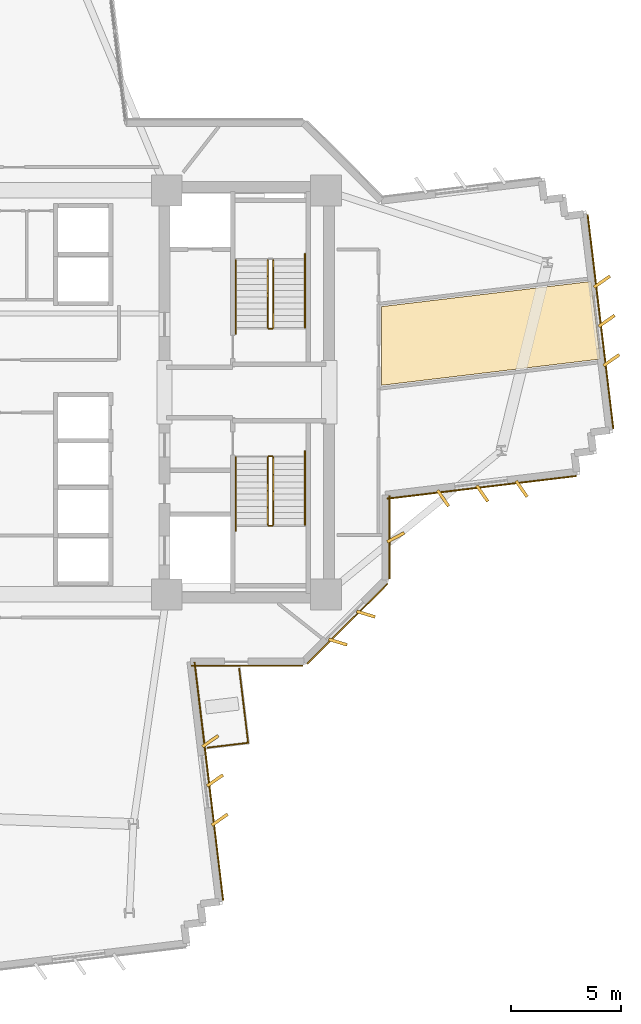
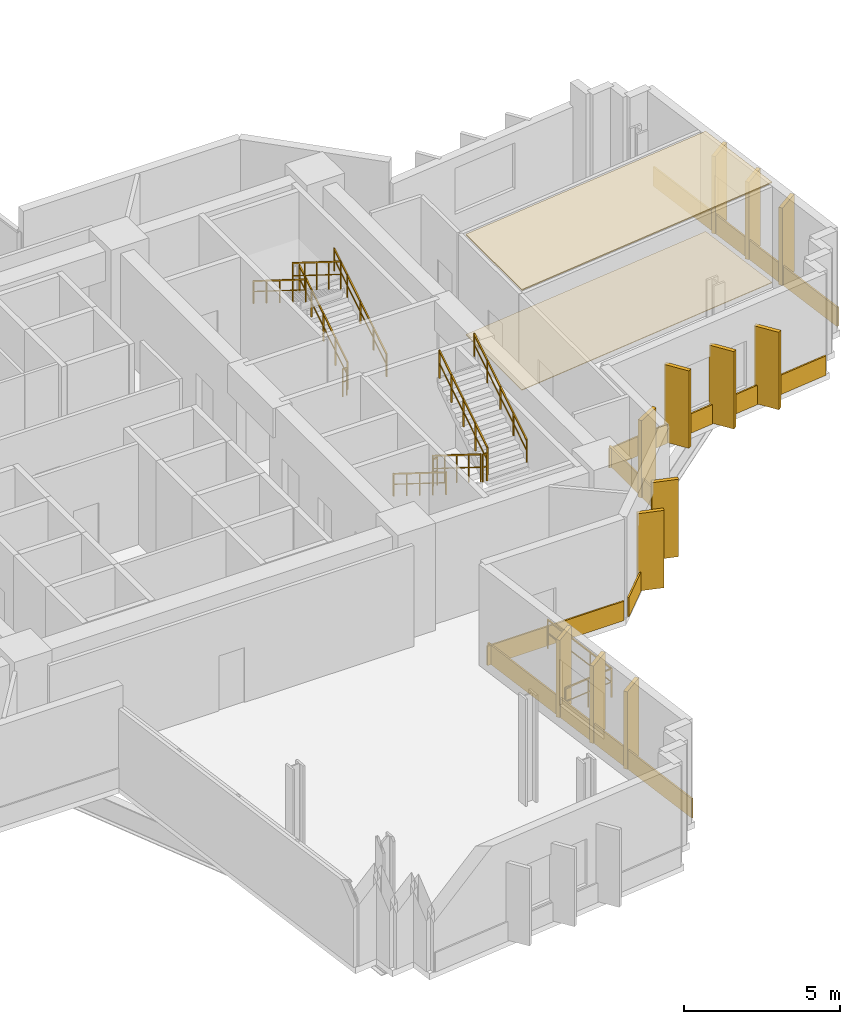
# One storey, part 13 of 15: 20 coverings, 13 railings.
"""IFC4 building model written with IfcOpenShell, lengths in metres."""

from ifc_helpers import new_model, si_unit, direction, frame, origin, origin_2d, place, context, subcontext, project, spatial, polyline, rectangle, outline, extrude, source, transform, mapped, material, layer, layer_set, type_object, element, save


model = new_model("IFC4")

# Units and contexts
model_context = context("Model", 3, precision=1e-05, world=origin(), true_north=direction((0.0, 1.0)))
body_context = subcontext(model_context, "Body", "Model", "MODEL_VIEW")
ifc_project = project(units=[si_unit("LENGTHUNIT", "METRE"), si_unit("AREAUNIT", "SQUARE_METRE"), si_unit("VOLUMEUNIT", "CUBIC_METRE"), si_unit("PLANEANGLEUNIT", "RADIAN"), si_unit("MASSUNIT", "GRAM", prefix="KILO")], contexts=[model_context])

# Site, building, storey
site_placement = place(None, origin())
site = spatial("IfcSite", under=ifc_project, at=site_placement, CompositionType="ELEMENT")
building_placement = place(site_placement, origin())
building = spatial("IfcBuilding", under=site, at=building_placement, Name="Zahravan Cultural Tower", CompositionType="ELEMENT")
storey_placement = place(building_placement, frame((0.0, 0.0, 113.10009765625)))
storey = spatial("IfcBuildingStorey", under=building, at=storey_placement, Name="L25", CompositionType="ELEMENT", Elevation=113.10009765625)

# Coverings
ifc_material_1 = material(Name="Acoustic mineral fibreboard")
ifc_layer_1 = layer(ifc_material_1, 0.0400390625)
ifc_layer_set_1 = layer_set([ifc_layer_1], Name="Acoustic mineral fibreboard")
covering_type_1 = type_object("IfcCoveringType", Name="COV-CEIL-AC20", PredefinedType="CEILING", material=ifc_layer_set_1)
covering_1_placement = place(storey_placement, frame((0.0, 0.0, 3.909912109375)))
element("IfcCovering", 1, at=covering_1_placement, inside=storey, type_object=covering_type_1, Name="L25 Acoustic Suspended Ceiling", PredefinedType="CEILING", context=body_context, shape_type="SweptSolid", body=[
    extrude(outline(polyline([(62.85009765625, 28.5185546875), (62.42626953125, 32.05322265625), (52.889892578125, 30.909423828125), (52.889892578125, 27.323974609375), (62.85009765625, 28.5185546875)])), origin(), (0.0, 0.0, 1.0), 0.0400390625),
])
ifc_material_2 = material(Name="Terrazzo flooring")
ifc_layer_2 = layer(ifc_material_2, 0.02490234375)
ifc_layer_set_2 = layer_set([ifc_layer_2], Name="Terrazzo flooring")
covering_type_2 = type_object("IfcCoveringType", Name="COV-FLR-TZ25", PredefinedType="FLOORING", material=ifc_layer_set_2)
covering_2_placement = place(storey_placement, origin())
element("IfcCovering", 2, at=covering_2_placement, inside=storey, type_object=covering_type_2, Name="L25 Polished Terrazzo Flooring", PredefinedType="FLOORING", context=body_context, shape_type="SweptSolid", body=[
    extrude(outline(polyline([(62.85009765625, 28.5185546875), (62.42626953125, 32.05322265625), (52.889892578125, 30.909423828125), (52.889892578125, 27.323974609375), (62.85009765625, 28.5185546875)])), origin(), (0.0, 0.0, 1.0), 0.02490234375),
])

# Railings
ifc_material_3 = material(Name="Steel ASTM A572 Grade 50", Category="steel")
railing_type_1 = type_object("IfcRailingType", Name="RL-BAL-1150", PredefinedType="BALUSTRADE", material=ifc_material_3)
railing_1_placement = place(storey_placement, frame((46.807373046875, 11.043701171875, 0.0)))
element("IfcRailing", 3, at=railing_1_placement, inside=storey, type_object=railing_type_1, Name="L25 Edge Balustrade GRD-TR-L25-SE-01", PredefinedType="BALUSTRADE", context=body_context, shape_type="SweptSolid", body=[
    extrude(rectangle(XDim=0.05, YDim=0.05, at=origin_2d()), frame((0.0, 0.0, 1.125), z_axis=(-0.9928749651, -0.119160831138, 0.0), x_axis=(0.119160831138, -0.9928749651, 0.0)), (0.0, 0.0, 1.0), 1.85009765625),
    extrude(rectangle(XDim=0.032, YDim=0.032, at=origin_2d()), frame((0.0, 0.0, 0.597900390625), z_axis=(-0.9928749651, -0.119160831138, 0.0), x_axis=(0.119160831138, -0.9928749651, 0.0)), (0.0, 0.0, 1.0), 1.85009765625),
    extrude(rectangle(XDim=0.04, YDim=0.04, at=origin_2d()), origin(), (0.0, 0.0, 1.0), 1.14990234375),
    extrude(rectangle(XDim=0.04, YDim=0.04, at=origin_2d()), frame((-0.91845703125, -0.1103515625, 0.0)), (0.0, 0.0, 1.0), 1.14990234375),
    extrude(rectangle(XDim=0.04, YDim=0.04, at=origin_2d()), frame((-1.8369140625, -0.220458984375, 0.0)), (0.0, 0.0, 1.0), 1.14990234375),
])
railing_2_placement = place(storey_placement, frame((46.40234375, 14.419921875, 0.0)))
element("IfcRailing", 4, at=railing_2_placement, inside=storey, type_object=railing_type_1, Name="L25 Edge Balustrade GRD-TR-L25-SE-02", PredefinedType="BALUSTRADE", context=body_context, shape_type="SweptSolid", body=[
    extrude(rectangle(XDim=0.05, YDim=0.05, at=origin_2d()), frame((0.0, 0.0, 1.125), z_axis=(0.119111247198, -0.992880914708, 0.0), x_axis=(0.992880914708, 0.119111247198, 0.0)), (0.0, 0.0, 1.0), 3.400390625),
    extrude(rectangle(XDim=0.032, YDim=0.032, at=origin_2d()), frame((0.0, 0.0, 0.597900390625), z_axis=(0.119111247198, -0.992880914708, 0.0), x_axis=(0.992880914708, 0.119111247198, 0.0)), (0.0, 0.0, 1.0), 3.400390625),
    extrude(rectangle(XDim=0.04, YDim=0.04, at=origin_2d()), origin(), (0.0, 0.0, 1.0), 1.14990234375),
    extrude(rectangle(XDim=0.04, YDim=0.04, at=origin_2d()), frame((0.135009765625, -1.12548828125, 0.0)), (0.0, 0.0, 1.0), 1.14990234375),
    extrude(rectangle(XDim=0.04, YDim=0.04, at=origin_2d()), frame((0.27001953125, -2.250732421875, 0.0)), (0.0, 0.0, 1.0), 1.14990234375),
    extrude(rectangle(XDim=0.04, YDim=0.04, at=origin_2d()), frame((0.405029296875, -3.376220703125, 0.0)), (0.0, 0.0, 1.0), 1.14990234375),
])
railing_type_2 = type_object("IfcRailingType", Name="RL-STAIR-GRD1150", PredefinedType="BALUSTRADE", material=ifc_material_3)
railing_3_placement = place(storey_placement, frame((47.949951171875, 29.949951171875, 0.1748046875)))
element("IfcRailing", 5, at=railing_3_placement, inside=storey, type_object=railing_type_2, Name="L25 ST-E1 stair guard 1", PredefinedType="BALUSTRADE", context=body_context, shape_type="SweptSolid", body=[
    extrude(rectangle(XDim=0.05, YDim=0.05, at=origin_2d()), frame((0.0, 0.0, 1.0751953125), z_axis=(0.0, 0.847998304005, 0.529998940003), x_axis=(-1.0, 0.0, 0.0)), (0.0, 0.0, 1.0), 3.632080078125),
    extrude(rectangle(XDim=0.032, YDim=0.032, at=origin_2d()), frame((0.0, 0.0, 0.572021484375), z_axis=(0.0, 0.847998304005, 0.529998940003), x_axis=(-1.0, 0.0, 0.0)), (0.0, 0.0, 1.0), 3.632080078125),
    extrude(rectangle(XDim=0.04, YDim=0.04, at=origin_2d()), origin(), (0.0, 0.0, 1.0), 1.10009765625),
    extrude(rectangle(XDim=0.04, YDim=0.04, at=origin_2d()), frame((0.0, 0.77001953125, 0.481201171875)), (0.0, 0.0, 1.0), 1.10009765625),
    extrude(rectangle(XDim=0.04, YDim=0.04, at=origin_2d()), frame((0.0, 1.5400390625, 0.96240234375)), (0.0, 0.0, 1.0), 1.10009765625),
    extrude(rectangle(XDim=0.04, YDim=0.04, at=origin_2d()), frame((0.0, 2.31005859375, 1.44384765625)), (0.0, 0.0, 1.0), 1.10009765625),
    extrude(rectangle(XDim=0.04, YDim=0.04, at=origin_2d()), frame((0.0, 3.080078125, 1.925048828125)), (0.0, 0.0, 1.0), 1.10009765625),
])
railing_4_placement = place(storey_placement, frame((47.699951171875, 33.030029296875, 2.27490234375)))
element("IfcRailing", 6, at=railing_4_placement, inside=storey, type_object=railing_type_2, Name="L25 ST-E1 stair guard 3", PredefinedType="BALUSTRADE", context=body_context, shape_type="SweptSolid", body=[
    extrude(rectangle(XDim=0.05, YDim=0.05, at=origin_2d()), frame((0.0, 0.0, 1.0751953125), z_axis=(0.0, -0.847998304005, 0.529998940003), x_axis=(1.0, 0.0, 0.0)), (0.0, 0.0, 1.0), 3.632080078125),
    extrude(rectangle(XDim=0.032, YDim=0.032, at=origin_2d()), frame((0.0, 0.0, 0.572021484375), z_axis=(0.0, -0.847998304005, 0.529998940003), x_axis=(1.0, 0.0, 0.0)), (0.0, 0.0, 1.0), 3.632080078125),
    extrude(rectangle(XDim=0.04, YDim=0.04, at=origin_2d()), origin(), (0.0, 0.0, 1.0), 1.10009765625),
    extrude(rectangle(XDim=0.04, YDim=0.04, at=origin_2d()), frame((0.0, -0.77001953125, 0.481201171875)), (0.0, 0.0, 1.0), 1.10009765625),
    extrude(rectangle(XDim=0.04, YDim=0.04, at=origin_2d()), frame((0.0, -1.5400390625, 0.96240234375)), (0.0, 0.0, 1.0), 1.10009765625),
    extrude(rectangle(XDim=0.04, YDim=0.04, at=origin_2d()), frame((0.0, -2.31005859375, 1.44384765625)), (0.0, 0.0, 1.0), 1.10009765625),
    extrude(rectangle(XDim=0.04, YDim=0.04, at=origin_2d()), frame((0.0, -3.080078125, 1.925048828125)), (0.0, 0.0, 1.0), 1.10009765625),
])
railing_5_placement = place(storey_placement, frame((47.89990234375, 29.89990234375, 0.0)))
element("IfcRailing", 7, at=railing_5_placement, inside=storey, type_object=railing_type_2, Name="L25 ST-E1 stair guard 4", PredefinedType="BALUSTRADE", context=body_context, shape_type="SweptSolid", body=[
    extrude(rectangle(XDim=0.05, YDim=0.05, at=origin_2d()), frame((0.0, 0.0, 1.0751953125), z_axis=(-1.0, 0.0, 0.0), x_axis=(0.0, -1.0, 0.0)), (0.0, 0.0, 1.0), 0.14990234375),
    extrude(rectangle(XDim=0.032, YDim=0.032, at=origin_2d()), frame((0.0, 0.0, 0.572021484375), z_axis=(-1.0, 0.0, 0.0), x_axis=(0.0, -1.0, 0.0)), (0.0, 0.0, 1.0), 0.14990234375),
    extrude(rectangle(XDim=0.04, YDim=0.04, at=origin_2d()), origin(), (0.0, 0.0, 1.0), 1.10009765625),
    extrude(rectangle(XDim=0.04, YDim=0.04, at=origin_2d()), frame((-0.14990234375, 0.0, 0.0)), (0.0, 0.0, 1.0), 1.10009765625),
])
railing_6_placement = place(storey_placement, frame((47.699951171875, 24.050048828125, 0.1748046875)))
element("IfcRailing", 8, at=railing_6_placement, inside=storey, type_object=railing_type_2, Name="L25 ST-E2 stair guard 1", PredefinedType="BALUSTRADE", context=body_context, shape_type="SweptSolid", body=[
    extrude(rectangle(XDim=0.05, YDim=0.05, at=origin_2d()), frame((0.0, 0.0, 1.0751953125), z_axis=(0.0, -0.847998304005, 0.529998940003), x_axis=(1.0, 0.0, 0.0)), (0.0, 0.0, 1.0), 3.632080078125),
    extrude(rectangle(XDim=0.032, YDim=0.032, at=origin_2d()), frame((0.0, 0.0, 0.572021484375), z_axis=(0.0, -0.847998304005, 0.529998940003), x_axis=(1.0, 0.0, 0.0)), (0.0, 0.0, 1.0), 3.632080078125),
    extrude(rectangle(XDim=0.04, YDim=0.04, at=origin_2d()), origin(), (0.0, 0.0, 1.0), 1.10009765625),
    extrude(rectangle(XDim=0.04, YDim=0.04, at=origin_2d()), frame((0.0, -0.77001953125, 0.481201171875)), (0.0, 0.0, 1.0), 1.10009765625),
    extrude(rectangle(XDim=0.04, YDim=0.04, at=origin_2d()), frame((0.0, -1.5400390625, 0.96240234375)), (0.0, 0.0, 1.0), 1.10009765625),
    extrude(rectangle(XDim=0.04, YDim=0.04, at=origin_2d()), frame((0.0, -2.31005859375, 1.44384765625)), (0.0, 0.0, 1.0), 1.10009765625),
    extrude(rectangle(XDim=0.04, YDim=0.04, at=origin_2d()), frame((0.0, -3.080078125, 1.925048828125)), (0.0, 0.0, 1.0), 1.10009765625),
])
railing_7_placement = place(storey_placement, frame((47.75, 20.919921875, 2.099853515625)))
element("IfcRailing", 9, at=railing_7_placement, inside=storey, type_object=railing_type_2, Name="L25 ST-E2 stair guard 2", PredefinedType="BALUSTRADE", context=body_context, shape_type="SweptSolid", body=[
    extrude(rectangle(XDim=0.05, YDim=0.05, at=origin_2d()), frame((0.0, 0.0, 1.0751953125), z_axis=(1.0, 0.0, 0.0), x_axis=(0.0, 1.0, 0.0)), (0.0, 0.0, 1.0), 0.14990234375),
    extrude(rectangle(XDim=0.032, YDim=0.032, at=origin_2d()), frame((0.0, 0.0, 0.572021484375), z_axis=(1.0, 0.0, 0.0), x_axis=(0.0, 1.0, 0.0)), (0.0, 0.0, 1.0), 0.14990234375),
    extrude(rectangle(XDim=0.04, YDim=0.04, at=origin_2d()), origin(), (0.0, 0.0, 1.0), 1.10009765625),
    extrude(rectangle(XDim=0.04, YDim=0.04, at=origin_2d()), frame((0.14990234375, 0.0, 0.0)), (0.0, 0.0, 1.0), 1.10009765625),
])
railing_8_placement = place(storey_placement, frame((47.949951171875, 20.969970703125, 2.27490234375)))
element("IfcRailing", 10, at=railing_8_placement, inside=storey, type_object=railing_type_2, Name="L25 ST-E2 stair guard 3", PredefinedType="BALUSTRADE", context=body_context, shape_type="SweptSolid", body=[
    extrude(rectangle(XDim=0.05, YDim=0.05, at=origin_2d()), frame((0.0, 0.0, 1.0751953125), z_axis=(0.0, 0.847998304005, 0.529998940003), x_axis=(-1.0, 0.0, 0.0)), (0.0, 0.0, 1.0), 3.632080078125),
    extrude(rectangle(XDim=0.032, YDim=0.032, at=origin_2d()), frame((0.0, 0.0, 0.572021484375), z_axis=(0.0, 0.847998304005, 0.529998940003), x_axis=(-1.0, 0.0, 0.0)), (0.0, 0.0, 1.0), 3.632080078125),
    extrude(rectangle(XDim=0.04, YDim=0.04, at=origin_2d()), origin(), (0.0, 0.0, 1.0), 1.10009765625),
    extrude(rectangle(XDim=0.04, YDim=0.04, at=origin_2d()), frame((0.0, 0.77001953125, 0.481201171875)), (0.0, 0.0, 1.0), 1.10009765625),
    extrude(rectangle(XDim=0.04, YDim=0.04, at=origin_2d()), frame((0.0, 1.5400390625, 0.96240234375)), (0.0, 0.0, 1.0), 1.10009765625),
    extrude(rectangle(XDim=0.04, YDim=0.04, at=origin_2d()), frame((0.0, 2.31005859375, 1.44384765625)), (0.0, 0.0, 1.0), 1.10009765625),
    extrude(rectangle(XDim=0.04, YDim=0.04, at=origin_2d()), frame((0.0, 3.080078125, 1.925048828125)), (0.0, 0.0, 1.0), 1.10009765625),
])
railing_9_placement = place(storey_placement, frame((47.75, 24.10009765625, 0.0)))
element("IfcRailing", 11, at=railing_9_placement, inside=storey, type_object=railing_type_2, Name="L25 ST-E2 stair guard 4", PredefinedType="BALUSTRADE", context=body_context, shape_type="SweptSolid", body=[
    extrude(rectangle(XDim=0.05, YDim=0.05, at=origin_2d()), frame((0.0, 0.0, 1.0751953125), z_axis=(1.0, 0.0, 0.0), x_axis=(0.0, 1.0, 0.0)), (0.0, 0.0, 1.0), 0.14990234375),
    extrude(rectangle(XDim=0.032, YDim=0.032, at=origin_2d()), frame((0.0, 0.0, 0.572021484375), z_axis=(1.0, 0.0, 0.0), x_axis=(0.0, 1.0, 0.0)), (0.0, 0.0, 1.0), 0.14990234375),
    extrude(rectangle(XDim=0.04, YDim=0.04, at=origin_2d()), origin(), (0.0, 0.0, 1.0), 1.10009765625),
    extrude(rectangle(XDim=0.04, YDim=0.04, at=origin_2d()), frame((0.14990234375, 0.0, 0.0)), (0.0, 0.0, 1.0), 1.10009765625),
])
railing_type_3 = type_object("IfcRailingType", Name="RL-STAIR-HR900", PredefinedType="HANDRAIL", material=ifc_material_3)
railing_10_placement = place(storey_placement, frame((49.39990234375, 29.949951171875, 0.1748046875)))
element("IfcRailing", 12, at=railing_10_placement, inside=storey, type_object=railing_type_3, Name="L25 ST-E1 stair handrail 1", PredefinedType="HANDRAIL", context=body_context, shape_type="SweptSolid", body=[
    extrude(rectangle(XDim=0.05, YDim=0.05, at=origin_2d()), frame((0.0, 0.0, 0.875), z_axis=(0.0, 0.847994842521, 0.530004478338), x_axis=(-1.0, 0.0, 0.0)), (0.0, 0.0, 1.0), 3.96240234375),
    extrude(rectangle(XDim=0.032, YDim=0.032, at=origin_2d()), frame((0.0, 0.0, 0.468017578125), z_axis=(0.0, 0.847994842521, 0.530004478338), x_axis=(-1.0, 0.0, 0.0)), (0.0, 0.0, 1.0), 3.96240234375),
    extrude(rectangle(XDim=0.04, YDim=0.04, at=origin_2d()), origin(), (0.0, 0.0, 1.0), 0.89990234375),
    extrude(rectangle(XDim=0.04, YDim=0.04, at=origin_2d()), frame((0.0, 0.840087890625, 0.52490234375)), (0.0, 0.0, 1.0), 0.89990234375),
    extrude(rectangle(XDim=0.04, YDim=0.04, at=origin_2d()), frame((0.0, 1.68017578125, 1.050048828125)), (0.0, 0.0, 1.0), 0.89990234375),
    extrude(rectangle(XDim=0.04, YDim=0.04, at=origin_2d()), frame((0.0, 2.52001953125, 1.5751953125)), (0.0, 0.0, 1.0), 0.89990234375),
    extrude(rectangle(XDim=0.04, YDim=0.04, at=origin_2d()), frame((0.0, 3.360107421875, 2.10009765625)), (0.0, 0.0, 1.0), 0.89990234375),
])
for number, where, name in (
    (13, (46.25, 33.030029296875, 2.27490234375), "L25 ST-E1 stair handrail 2"),
    (14, (46.25, 24.050048828125, 0.1748046875), "L25 ST-E2 stair handrail 1"),
):
    element("IfcRailing", number, at=place(storey_placement, frame(where)), inside=storey, type_object=railing_type_3, Name=name, PredefinedType="HANDRAIL", context=body_context, shape_type="SweptSolid", body=[
        extrude(rectangle(XDim=0.05, YDim=0.05, at=origin_2d()), frame((0.0, 0.0, 0.875), z_axis=(0.0, -0.847994842521, 0.530004478338), x_axis=(1.0, 0.0, 0.0)), (0.0, 0.0, 1.0), 3.96240234375),
        extrude(rectangle(XDim=0.032, YDim=0.032, at=origin_2d()), frame((0.0, 0.0, 0.468017578125), z_axis=(0.0, -0.847994842521, 0.530004478338), x_axis=(1.0, 0.0, 0.0)), (0.0, 0.0, 1.0), 3.96240234375),
        extrude(rectangle(XDim=0.04, YDim=0.04, at=origin_2d()), origin(), (0.0, 0.0, 1.0), 0.89990234375),
        extrude(rectangle(XDim=0.04, YDim=0.04, at=origin_2d()), frame((0.0, -0.840087890625, 0.52490234375)), (0.0, 0.0, 1.0), 0.89990234375),
        extrude(rectangle(XDim=0.04, YDim=0.04, at=origin_2d()), frame((0.0, -1.68017578125, 1.050048828125)), (0.0, 0.0, 1.0), 0.89990234375),
        extrude(rectangle(XDim=0.04, YDim=0.04, at=origin_2d()), frame((0.0, -2.52001953125, 1.5751953125)), (0.0, 0.0, 1.0), 0.89990234375),
        extrude(rectangle(XDim=0.04, YDim=0.04, at=origin_2d()), frame((0.0, -3.360107421875, 2.10009765625)), (0.0, 0.0, 1.0), 0.89990234375),
    ])
railing_11_placement = place(storey_placement, frame((49.39990234375, 20.969970703125, 2.27490234375)))
element("IfcRailing", 15, at=railing_11_placement, inside=storey, type_object=railing_type_3, Name="L25 ST-E2 stair handrail 2", PredefinedType="HANDRAIL", context=body_context, shape_type="SweptSolid", body=[
    extrude(rectangle(XDim=0.05, YDim=0.05, at=origin_2d()), frame((0.0, 0.0, 0.875), z_axis=(0.0, 0.847994842521, 0.530004478338), x_axis=(-1.0, 0.0, 0.0)), (0.0, 0.0, 1.0), 3.96240234375),
    extrude(rectangle(XDim=0.032, YDim=0.032, at=origin_2d()), frame((0.0, 0.0, 0.468017578125), z_axis=(0.0, 0.847994842521, 0.530004478338), x_axis=(-1.0, 0.0, 0.0)), (0.0, 0.0, 1.0), 3.96240234375),
    extrude(rectangle(XDim=0.04, YDim=0.04, at=origin_2d()), origin(), (0.0, 0.0, 1.0), 0.89990234375),
    extrude(rectangle(XDim=0.04, YDim=0.04, at=origin_2d()), frame((0.0, 0.840087890625, 0.52490234375)), (0.0, 0.0, 1.0), 0.89990234375),
    extrude(rectangle(XDim=0.04, YDim=0.04, at=origin_2d()), frame((0.0, 1.68017578125, 1.050048828125)), (0.0, 0.0, 1.0), 0.89990234375),
    extrude(rectangle(XDim=0.04, YDim=0.04, at=origin_2d()), frame((0.0, 2.52001953125, 1.5751953125)), (0.0, 0.0, 1.0), 0.89990234375),
    extrude(rectangle(XDim=0.04, YDim=0.04, at=origin_2d()), frame((0.0, 3.360107421875, 2.10009765625)), (0.0, 0.0, 1.0), 0.89990234375),
])

# Coverings
ifc_material_4 = material(Name="Terracotta ceramic cladding", Category="masonry")
ifc_layer_3 = layer(ifc_material_4, 0.06005859375)
ifc_layer_set_3 = layer_set([ifc_layer_3], Name="Terracotta ceramic cladding")
covering_type_3 = type_object("IfcCoveringType", Name="COV-CLAD-TC60", PredefinedType="CLADDING", material=ifc_layer_set_3)
shared_shape_1 = source(origin(), body_context, "Body", "SweptSolid", [
    extrude(rectangle(XDim=9.820068359375, YDim=0.06005859375, at=origin_2d()), origin(), (0.0, 0.0, 1.0), 0.760009765625),
])
covering_3_placement = place(storey_placement, frame((62.8525390625, 30.220947265625, 0.02001953125), z_axis=(0.0, 0.0, 1.0), x_axis=(0.119097160095, -0.99288260457, 0.0)))
element("IfcCovering", 16, at=covering_3_placement, inside=storey, type_object=covering_type_3, Name="L25 Terracotta Spandrel Cladding 06", PredefinedType="CLADDING", context=body_context, shape_type="MappedRepresentation", body=[
    mapped(shared_shape_1, transform((0.0, 0.0, 0.0), x_axis=(1.0, 0.0, 0.0), y_axis=(0.0, 1.0, 0.0), z_axis=(0.0, 0.0, 1.0), scale=1.0)),
])
shared_shape_2 = source(origin(), body_context, "Body", "SweptSolid", [
    extrude(rectangle(XDim=5.157958984375, YDim=0.06005859375, at=origin_2d()), origin(), (0.0, 0.0, 1.0), 0.760009765625),
])
covering_4_placement = place(storey_placement, frame((51.331787109375, 16.46826171875, 0.02001953125), z_axis=(0.0, 0.0, 1.0), x_axis=(-0.707106781187, -0.707106781187, 0.0)))
element("IfcCovering", 17, at=covering_4_placement, inside=storey, type_object=covering_type_3, Name="L25 Terracotta Spandrel Cladding 13", PredefinedType="CLADDING", context=body_context, shape_type="MappedRepresentation", body=[
    mapped(shared_shape_2, transform((0.0, 0.0, 0.0), x_axis=(1.0, 0.0, 0.0), y_axis=(0.0, 1.0, 0.0), z_axis=(0.0, 0.0, 1.0), scale=1.0)),
])
shared_shape_3 = source(origin(), body_context, "Body", "SweptSolid", [
    extrude(rectangle(XDim=0.8798828125, YDim=0.139892578125, at=origin_2d()), origin(), (0.0, 0.0, 1.0), 3.030029296875),
])
for number, where, z_axis, x_axis, name in (
    (18, (62.921142578125, 32.0419921875, 0.0498046875), (0.0, 0.0, 1.0), (0.820750575823, 0.571286698852, 0.0), "L25 Herringbone Terracotta Fin 04"),
    (19, (63.135498046875, 30.2548828125, 0.0498046875), (0.0, 0.0, 1.0), (0.820750575823, 0.571286698852, 0.0), "L25 Herringbone Terracotta Fin 05"),
    (20, (63.349853515625, 28.4677734375, 0.0498046875), (0.0, 0.0, 1.0), (0.820750575823, 0.571286698852, 0.0), "L25 Herringbone Terracotta Fin 06"),
    (21, (59.26025390625, 22.60888671875, 0.0498046875), (0.0, 0.0, 1.0), (0.571286698852, -0.820750575823, 0.0), "L25 Herringbone Terracotta Fin 07"),
    (22, (57.472900390625, 22.39453125, 0.0498046875), (0.0, 0.0, 1.0), (0.571286698852, -0.820750575823, 0.0), "L25 Herringbone Terracotta Fin 08"),
    (23, (55.685791015625, 22.18017578125, 0.0498046875), (0.0, 0.0, 1.0), (0.571286698852, -0.820750575823, 0.0), "L25 Herringbone Terracotta Fin 09"),
    (24, (53.530029296875, 20.398193359375, 0.0498046875), (0.0, 0.0, 1.0), (0.882947592859, 0.469471562786, 0.0), "L25 Herringbone Terracotta Fin 10"),
    (25, (52.169677734375, 16.903076171875, 0.0498046875), (0.0, 0.0, 1.0), (0.956304755963, -0.292371704723, 0.0), "L25 Herringbone Terracotta Fin 11"),
    (26, (50.89697265625, 15.63037109375, 0.0498046875), (0.0, 0.0, 1.0), (0.956304755963, -0.292371704723, 0.0), "L25 Herringbone Terracotta Fin 12"),
    (27, (45.08642578125, 11.11572265625, 0.0498046875), (0.0, 0.0, 1.0), (0.820750575823, 0.571286698852, 0.0), "L25 Herringbone Terracotta Fin 13"),
    (28, (45.30078125, 9.32861328125, 0.0498046875), (0.0, 0.0, 1.0), (0.820750575823, 0.571286698852, 0.0), "L25 Herringbone Terracotta Fin 14"),
    (29, (45.51513671875, 7.541259765625, 0.0498046875), (0.0, 0.0, 1.0), (0.820750575823, 0.571286698852, 0.0), "L25 Herringbone Terracotta Fin 15"),
):
    element("IfcCovering", number, at=place(storey_placement, frame(where, z_axis=z_axis, x_axis=x_axis)), inside=storey, type_object=covering_type_3, Name=name, PredefinedType="CLADDING", context=body_context, shape_type="MappedRepresentation", body=[
        mapped(shared_shape_3, transform((0.0, 0.0, 0.0), x_axis=(1.0, 0.0, 0.0), y_axis=(0.0, 1.0, 0.0), z_axis=(0.0, 0.0, 1.0), scale=1.0)),
    ])
shared_shape_4 = source(origin(), body_context, "Body", "SweptSolid", [
    extrude(rectangle(XDim=8.676513671875, YDim=0.06005859375, at=origin_2d()), origin(), (0.0, 0.0, 1.0), 0.760009765625),
])
covering_5_placement = place(storey_placement, frame((57.439208984375, 22.677490234375, 0.02001953125), z_axis=(0.0, 0.0, 1.0), x_axis=(-0.99288260457, -0.119097160095, 0.0)))
element("IfcCovering", 30, at=covering_5_placement, inside=storey, type_object=covering_type_3, Name="L25 Terracotta Spandrel Cladding 11", PredefinedType="CLADDING", context=body_context, shape_type="MappedRepresentation", body=[
    mapped(shared_shape_4, transform((0.0, 0.0, 0.0), x_axis=(1.0, 0.0, 0.0), y_axis=(0.0, 1.0, 0.0), z_axis=(0.0, 0.0, 1.0), scale=1.0)),
])
shared_shape_5 = source(origin(), body_context, "Body", "SweptSolid", [
    extrude(rectangle(XDim=3.780517578125, YDim=0.06005859375, at=origin_2d()), origin(), (0.0, 0.0, 1.0), 0.760009765625),
])
covering_6_placement = place(storey_placement, frame((53.2451171875, 20.398193359375, 0.02001953125), z_axis=(0.0, 0.0, 1.0), x_axis=(0.0, -1.0, 0.0)))
element("IfcCovering", 31, at=covering_6_placement, inside=storey, type_object=covering_type_3, Name="L25 Terracotta Spandrel Cladding 12", PredefinedType="CLADDING", context=body_context, shape_type="MappedRepresentation", body=[
    mapped(shared_shape_5, transform((0.0, 0.0, 0.0), x_axis=(1.0, 0.0, 0.0), y_axis=(0.0, 1.0, 0.0), z_axis=(0.0, 0.0, 1.0), scale=1.0)),
])
shared_shape_6 = source(origin(), body_context, "Body", "SweptSolid", [
    extrude(rectangle(XDim=5.063720703125, YDim=0.06005859375, at=origin_2d()), origin(), (0.0, 0.0, 1.0), 0.760009765625),
])
covering_7_placement = place(storey_placement, frame((46.76025390625, 14.554931640625, 0.02001953125), z_axis=(0.0, 0.0, 1.0), x_axis=(-1.0, 0.0, 0.0)))
element("IfcCovering", 32, at=covering_7_placement, inside=storey, type_object=covering_type_3, Name="L25 Terracotta Spandrel Cladding 14", PredefinedType="CLADDING", context=body_context, shape_type="MappedRepresentation", body=[
    mapped(shared_shape_6, transform((0.0, 0.0, 0.0), x_axis=(1.0, 0.0, 0.0), y_axis=(0.0, 1.0, 0.0), z_axis=(0.0, 0.0, 1.0), scale=1.0)),
])
shared_shape_7 = source(origin(), body_context, "Body", "SweptSolid", [
    extrude(rectangle(XDim=10.913330078125, YDim=0.06005859375, at=origin_2d()), origin(), (0.0, 0.0, 1.0), 0.760009765625),
])
covering_8_placement = place(storey_placement, frame((45.017822265625, 9.294677734375, 0.02001953125), z_axis=(0.0, 0.0, 1.0), x_axis=(0.119097160095, -0.99288260457, 0.0)))
element("IfcCovering", 33, at=covering_8_placement, inside=storey, type_object=covering_type_3, Name="L25 Terracotta Spandrel Cladding 15", PredefinedType="CLADDING", context=body_context, shape_type="MappedRepresentation", body=[
    mapped(shared_shape_7, transform((0.0, 0.0, 0.0), x_axis=(1.0, 0.0, 0.0), y_axis=(0.0, 1.0, 0.0), z_axis=(0.0, 0.0, 1.0), scale=1.0)),
])

save(model, "model.ifc")
